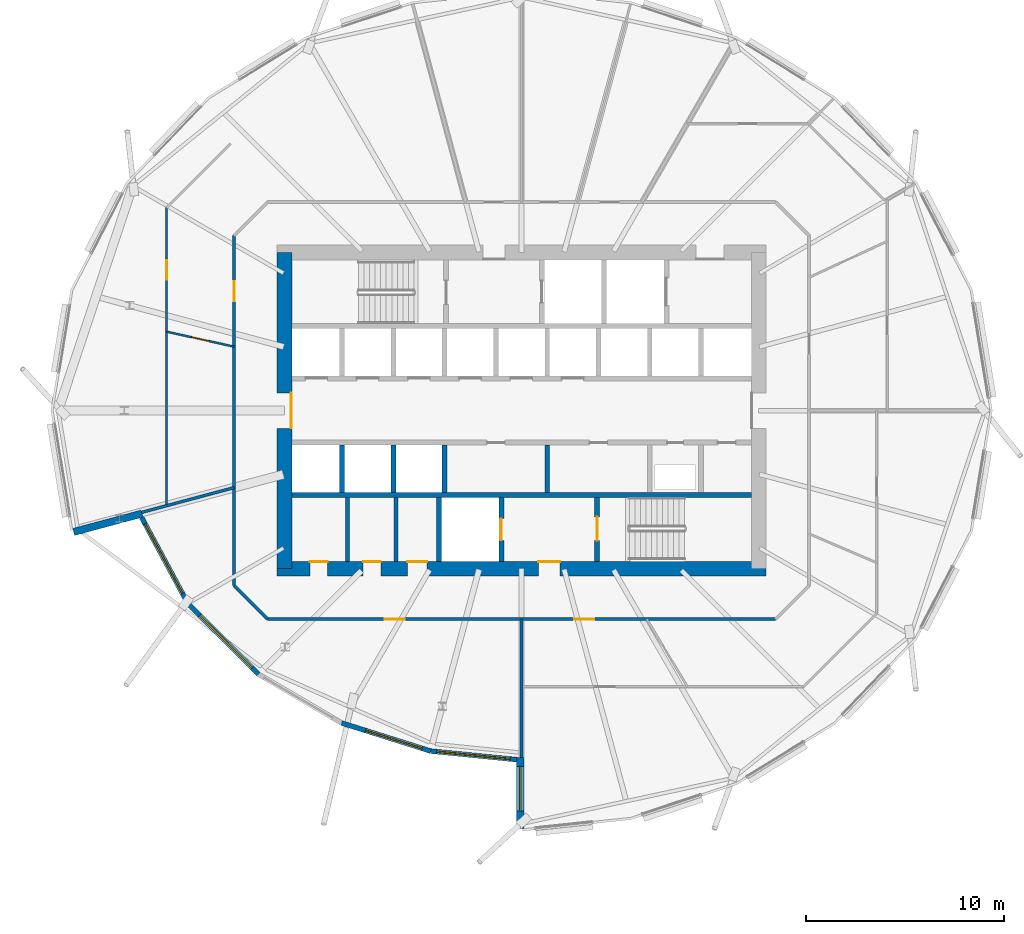
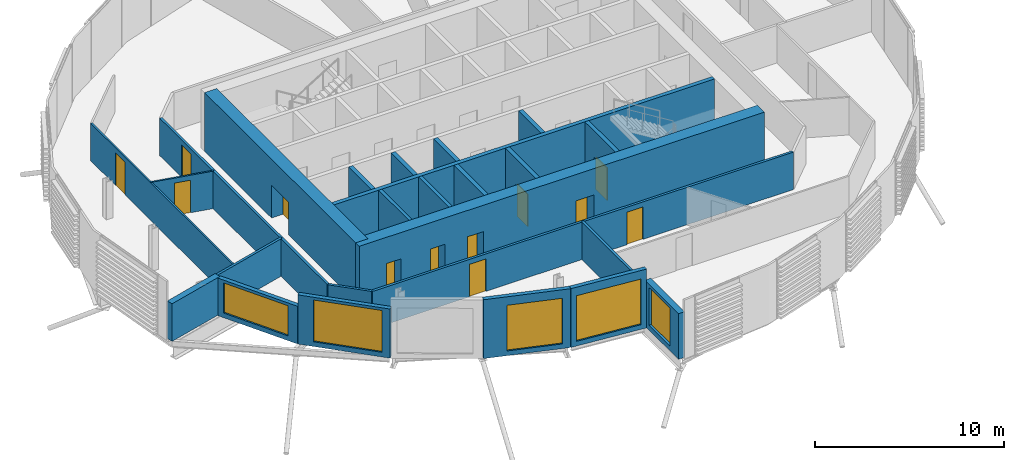
# One storey, part 22 of 42: 25 walls, 12 doors, 5 windows, 17 openings.
"""IFC4 building model written with IfcOpenShell, lengths in metres."""

from ifc_helpers import new_model, si_unit, direction, frame, frame_2d, origin, place, context, subcontext, project, spatial, rectangle, extrude, material, layer, layer_set, type_object, element, fill, save


model = new_model("IFC4")

# Units and contexts
model_context = context("Model", 3, precision=1e-05, world=origin(), true_north=direction((0.0, 1.0)))
body_context = subcontext(model_context, "Body", "Model", "MODEL_VIEW")
ifc_project = project(units=[si_unit("LENGTHUNIT", "METRE"), si_unit("AREAUNIT", "SQUARE_METRE"), si_unit("VOLUMEUNIT", "CUBIC_METRE"), si_unit("PLANEANGLEUNIT", "RADIAN"), si_unit("MASSUNIT", "GRAM", prefix="KILO")], contexts=[model_context])

# Site, building, storey
site_placement = place(None, origin())
site = spatial("IfcSite", under=ifc_project, at=site_placement, CompositionType="ELEMENT")
building_placement = place(site_placement, origin())
building = spatial("IfcBuilding", under=site, at=building_placement, Name="Rimbun Link Towers", CompositionType="ELEMENT")
storey_placement = place(building_placement, frame((0.0, 0.0, 85.39990234375)))
storey = spatial("IfcBuildingStorey", under=building, at=storey_placement, Name="L20", CompositionType="ELEMENT", Elevation=85.39990234375)

# Wall, opening, window
ifc_material_1 = material(Name="Dark enamelled glass spandrel on insulated aluminium backpan", Category="aluminium")
ifc_layer_1 = layer(ifc_material_1, 0.25)
ifc_layer_set_1 = layer_set([ifc_layer_1], Name="CS dark enamelled spandrel wall 250")
wall_type_1 = type_object("IfcWallType", Name="CS dark enamelled spandrel wall 250", PredefinedType="STANDARD", material=ifc_layer_set_1)
wall_1_placement = place(storey_placement, frame((-48.640380859375, -9.7685546875, 0.0), z_axis=(0.0, 0.0, 1.0), x_axis=(-0.473204683216, 0.88095251165, 0.0)))
wall_1 = element("IfcWall", 1, at=wall_1_placement, inside=storey, type_object=wall_type_1, Name="Crease spandrel wall", PredefinedType="STANDARD", context=body_context, shape_type="SweptSolid", body=[
    extrude(rectangle(XDim=4.94580078125, YDim=0.25, at=frame_2d((2.472900390625, 0.0))), origin(), (0.0, 0.0, 1.0), 2.43017578125),
])
opening_1_placement = place(wall_1_placement, frame((0.583251953125, 0.0, 0.300048828125)))
opening_1 = element("IfcOpeningElement", 2, at=opening_1_placement, cuts=wall_1, Name="Opening WR40H195", PredefinedType="OPENING", context=body_context, shape_type="SweptSolid", body=[
    extrude(rectangle(XDim=4.0, YDim=1.949951171875, at=frame_2d((2.0, 0.97509765625))), frame((0.0, 0.135009765625, 0.0), z_axis=(0.0, -1.0, 0.0), x_axis=(1.0, 0.0, 0.0)), (0.0, 0.0, 1.0), 0.27001953125),
])
ifc_material_2 = material(Name="Aluminium framed fixed window, dark tinted low-e glass", Category="aluminium")
window_type_1 = type_object("IfcWindowType", Name="WR ribbon window 4000X1950", PartitioningType="SINGLE_PANEL", PredefinedType="WINDOW", material=ifc_material_2)
window_1_placement = place(opening_1_placement, origin())
window_1 = element("IfcWindow", 3, at=window_1_placement, inside=storey, type_object=window_type_1, Name="Crease ribbon window", OverallHeight=1.949951171875, OverallWidth=4.0, PartitioningType="SINGLE_PANEL", PredefinedType="WINDOW", context=body_context, shape_type="SweptSolid", body=[
    extrude(rectangle(XDim=4.0, YDim=1.949951171875, at=frame_2d((2.0, 0.97509765625))), frame((0.0, 0.030029296875, 0.0), z_axis=(0.0, -1.0, 0.0), x_axis=(1.0, 0.0, 0.0)), (0.0, 0.0, 1.0), 0.06005859375),
])
fill(opening_1, window_1)

wall_2_placement = place(storey_placement, frame((-45.070068359375, -13.342529296875, 0.0), z_axis=(0.0, 0.0, 1.0), x_axis=(-0.706744230568, 0.707469146012, 0.0)))
wall_2 = element("IfcWall", 4, at=wall_2_placement, inside=storey, type_object=wall_type_1, Name="Crease spandrel wall", PredefinedType="STANDARD", context=body_context, shape_type="SweptSolid", body=[
    extrude(rectangle(XDim=5.0517578125, YDim=0.25, at=frame_2d((2.52587890625, 0.0))), origin(), (0.0, 0.0, 1.0), 3.1767578125),
])
opening_2_placement = place(wall_2_placement, frame((0.456298828125, 0.0, 0.300048828125)))
opening_2 = element("IfcOpeningElement", 5, at=opening_2_placement, cuts=wall_2, Name="Opening WR38H270", PredefinedType="OPENING", context=body_context, shape_type="SweptSolid", body=[
    extrude(rectangle(XDim=3.75, YDim=2.699951171875, at=frame_2d((1.875, 1.35009765625))), frame((0.0, 0.135009765625, 0.0), z_axis=(0.0, -1.0, 0.0), x_axis=(1.0, 0.0, 0.0)), (0.0, 0.0, 1.0), 0.27001953125),
])
ifc_material_3 = material(Name="Aluminium framed fixed window, dark tinted low-e glass", Category="aluminium")
window_type_2 = type_object("IfcWindowType", Name="WR ribbon window 3750X2700", PartitioningType="SINGLE_PANEL", PredefinedType="WINDOW", material=ifc_material_3)
window_2_placement = place(opening_2_placement, origin())
window_2 = element("IfcWindow", 6, at=window_2_placement, inside=storey, type_object=window_type_2, Name="Crease ribbon window", OverallHeight=2.699951171875, OverallWidth=3.75, PartitioningType="SINGLE_PANEL", PredefinedType="WINDOW", context=body_context, shape_type="SweptSolid", body=[
    extrude(rectangle(XDim=3.75, YDim=2.699951171875, at=frame_2d((1.875, 1.35009765625))), frame((0.0, 0.030029296875, 0.0), z_axis=(0.0, -1.0, 0.0), x_axis=(1.0, 0.0, 0.0)), (0.0, 0.0, 1.0), 0.06005859375),
])
fill(opening_2, window_2)

wall_3_placement = place(storey_placement, frame((-36.359375, -17.23095703125, 0.0), z_axis=(0.0, 0.0, 1.0), x_axis=(-0.953706819851, 0.300737928719, 0.0)))
wall_3 = element("IfcWall", 7, at=wall_3_placement, inside=storey, type_object=wall_type_1, Name="Crease spandrel wall", PredefinedType="STANDARD", context=body_context, shape_type="SweptSolid", body=[
    extrude(rectangle(XDim=4.72216796875, YDim=0.25, at=frame_2d((2.361083984375, 0.0))), origin(), (0.0, 0.0, 1.0), 3.800048828125),
])
opening_3_placement = place(wall_3_placement, frame((0.446044921875, 0.0, 0.300048828125)))
opening_3 = element("IfcOpeningElement", 8, at=opening_3_placement, cuts=wall_3, Name="Opening WR30H295", PredefinedType="OPENING", context=body_context, shape_type="SweptSolid", body=[
    extrude(rectangle(XDim=3.0, YDim=2.949951171875, at=frame_2d((1.5, 1.47509765625))), frame((0.0, 0.135009765625, 0.0), z_axis=(0.0, -1.0, 0.0), x_axis=(1.0, 0.0, 0.0)), (0.0, 0.0, 1.0), 0.27001953125),
])
ifc_material_4 = material(Name="Aluminium framed fixed window, dark tinted low-e glass", Category="aluminium")
window_type_3 = type_object("IfcWindowType", Name="WR ribbon window 3000X2950", PartitioningType="SINGLE_PANEL", PredefinedType="WINDOW", material=ifc_material_4)
window_3_placement = place(opening_3_placement, origin())
window_3 = element("IfcWindow", 9, at=window_3_placement, inside=storey, type_object=window_type_3, Name="Crease ribbon window", OverallHeight=2.949951171875, OverallWidth=3.0, PartitioningType="SINGLE_PANEL", PredefinedType="WINDOW", context=body_context, shape_type="SweptSolid", body=[
    extrude(rectangle(XDim=3.0, YDim=2.949951171875, at=frame_2d((1.5, 1.47509765625))), frame((0.0, 0.030029296875, 0.0), z_axis=(0.0, -1.0, 0.0), x_axis=(1.0, 0.0, 0.0)), (0.0, 0.0, 1.0), 0.06005859375),
])
fill(opening_3, window_3)

wall_4_placement = place(storey_placement, frame((-32.0, -17.666748046875, 0.0), z_axis=(0.0, 0.0, 1.0), x_axis=(-0.995040500105, 0.09947061451, 0.0)))
wall_4 = element("IfcWall", 10, at=wall_4_placement, inside=storey, type_object=wall_type_1, Name="Crease spandrel wall", PredefinedType="STANDARD", context=body_context, shape_type="SweptSolid", body=[
    extrude(rectangle(XDim=4.381103515625, YDim=0.25, at=frame_2d((2.1904296875, 0.0))), origin(), (0.0, 0.0, 1.0), 3.800048828125),
])
opening_4_placement = place(wall_4_placement, frame((0.3154296875, 0.0, 0.300048828125)))
opening_4 = element("IfcOpeningElement", 11, at=opening_4_placement, cuts=wall_4, Name="Opening WR38H295", PredefinedType="OPENING", context=body_context, shape_type="SweptSolid", body=[
    extrude(rectangle(XDim=3.75, YDim=2.949951171875, at=frame_2d((1.875, 1.47509765625))), frame((0.0, 0.135009765625, 0.0), z_axis=(0.0, -1.0, 0.0), x_axis=(1.0, 0.0, 0.0)), (0.0, 0.0, 1.0), 0.27001953125),
])
ifc_material_5 = material(Name="Aluminium framed fixed window, dark tinted low-e glass", Category="aluminium")
window_type_4 = type_object("IfcWindowType", Name="WR ribbon window 3750X2950", PartitioningType="SINGLE_PANEL", PredefinedType="WINDOW", material=ifc_material_5)
window_4_placement = place(opening_4_placement, origin())
window_4 = element("IfcWindow", 12, at=window_4_placement, inside=storey, type_object=window_type_4, Name="Crease ribbon window", OverallHeight=2.949951171875, OverallWidth=3.75, PartitioningType="SINGLE_PANEL", PredefinedType="WINDOW", context=body_context, shape_type="SweptSolid", body=[
    extrude(rectangle(XDim=3.75, YDim=2.949951171875, at=frame_2d((1.875, 1.47509765625))), frame((0.0, 0.030029296875, 0.0), z_axis=(0.0, -1.0, 0.0), x_axis=(1.0, 0.0, 0.0)), (0.0, 0.0, 1.0), 0.06005859375),
])
fill(opening_4, window_4)

# Wall
ifc_material_6 = material(Name="Dark enamelled glass spandrel on insulated aluminium backpan", Category="aluminium")
ifc_layer_2 = layer(ifc_material_6, 0.3701171875)
ifc_layer_set_2 = layer_set([ifc_layer_2], Name="CS dark enamelled spandrel wall 370")
wall_type_2 = type_object("IfcWallType", Name="CS dark enamelled spandrel wall 370", PredefinedType="STANDARD", material=ifc_layer_set_2)
wall_5_placement = place(storey_placement, frame((-50.96142578125, -5.215087890625, 0.0), z_axis=(0.0, 0.0, 1.0), x_axis=(-0.965929787715, -0.258804260405, 0.0)))
element("IfcWall", 13, at=wall_5_placement, inside=storey, type_object=wall_type_2, Name="Crease spandrel wall", PredefinedType="STANDARD", context=body_context, shape_type="SweptSolid", body=[
    extrude(rectangle(XDim=3.580078125, YDim=0.3701171875, at=frame_2d((1.7900390625, 0.0))), origin(), (0.0, 0.0, 1.0), 2.43017578125),
])

# Wall, opening, window
wall_6_placement = place(storey_placement, frame((-31.81494140625, -21.14599609375, 0.0), z_axis=(0.0, 0.0, 1.0), x_axis=(0.0, 1.0, 0.0)))
wall_6 = element("IfcWall", 14, at=wall_6_placement, inside=storey, type_object=wall_type_2, Name="Crease spandrel wall", PredefinedType="STANDARD", context=body_context, shape_type="SweptSolid", body=[
    extrude(rectangle(XDim=3.580078125, YDim=0.3701171875, at=frame_2d((1.7900390625, 0.0))), origin(), (0.0, 0.0, 1.0), 2.946533203125),
])
opening_5_placement = place(wall_6_placement, frame((0.885498046875, 0.0, 0.300048828125)))
opening_5 = element("IfcOpeningElement", 15, at=opening_5_placement, cuts=wall_6, Name="Opening WR22H245", PredefinedType="OPENING", context=body_context, shape_type="SweptSolid", body=[
    extrude(rectangle(XDim=2.25, YDim=2.449951171875, at=frame_2d((1.125, 1.22509765625))), frame((0.0, 0.195068359375, 0.0), z_axis=(0.0, -1.0, 0.0), x_axis=(1.0, 0.0, 0.0)), (0.0, 0.0, 1.0), 0.39013671875),
])
ifc_material_7 = material(Name="Aluminium framed fixed window, dark tinted low-e glass", Category="aluminium")
window_type_5 = type_object("IfcWindowType", Name="WR ribbon window 2250X2450", PartitioningType="SINGLE_PANEL", PredefinedType="WINDOW", material=ifc_material_7)
window_5_placement = place(opening_5_placement, origin())
window_5 = element("IfcWindow", 16, at=window_5_placement, inside=storey, type_object=window_type_5, Name="Crease ribbon window", OverallHeight=2.449951171875, OverallWidth=2.25, PartitioningType="SINGLE_PANEL", PredefinedType="WINDOW", context=body_context, shape_type="SweptSolid", body=[
    extrude(rectangle(XDim=2.25, YDim=2.449951171875, at=frame_2d((1.125, 1.22509765625))), frame((0.0, 0.030029296875, 0.0), z_axis=(0.0, -1.0, 0.0), x_axis=(1.0, 0.0, 0.0)), (0.0, 0.0, 1.0), 0.06005859375),
])
fill(opening_5, window_5)

# Walls
ifc_material_8 = material(Name="Masonry blockwork", Category="masonry")
ifc_layer_3 = layer(ifc_material_8, 0.199951171875)
ifc_layer_set_3 = layer_set([ifc_layer_3], Name="Core partition 200")
wall_type_3 = type_object("IfcWallType", Name="Core partition 200", PredefinedType="PARTITIONING", material=ifc_layer_set_3)
for number, where, z_axis, x_axis, name in (
    (17, (-40.550048828125, -4.39990234375, 0.0), (0.0, 0.0, 1.0), (0.0, -1.0, 0.0), "L20 T1 core wall C1"),
    (18, (-38.10009765625, -4.39990234375, 0.0), (0.0, 0.0, 1.0), (0.0, -1.0, 0.0), "L20 T1 core wall C2"),
):
    element("IfcWall", number, at=place(storey_placement, frame(where, z_axis=z_axis, x_axis=x_axis)), inside=storey, type_object=wall_type_3, Name=name, PredefinedType="PARTITIONING", context=body_context, shape_type="SweptSolid", body=[
        extrude(rectangle(XDim=3.22509765625, YDim=0.199951171875, at=frame_2d((1.612548828125, 0.0))), origin(), (0.0, 0.0, 1.0), 3.800048828125),
    ])

# Wall, openings, doors
ifc_material_9 = material(Name="Concrete C60/75", Category="concrete")
ifc_layer_4 = layer(ifc_material_9, 0.75)
ifc_layer_set_4 = layer_set([ifc_layer_4], Name="Core shear wall 750")
wall_type_4 = type_object("IfcWallType", Name="Core shear wall 750", PredefinedType="SHEAR", material=ifc_layer_set_4)
wall_7_placement = place(storey_placement, frame((-44.125, -8.0, 0.0), z_axis=(0.0, 0.0, 1.0), x_axis=(1.0, 0.0, 0.0)))
wall_7 = element("IfcWall", 19, at=wall_7_placement, inside=storey, type_object=wall_type_4, Name="L20 T1 core wall S", PredefinedType="SHEAR", context=body_context, shape_type="SweptSolid", body=[
    extrude(rectangle(XDim=24.75, YDim=0.75, at=frame_2d((12.375, 0.0))), origin(), (0.0, 0.0, 1.0), 3.800048828125),
])
opening_6_placement = place(wall_7_placement, frame((13.22509765625, 0.0, 0.0)))
opening_6 = element("IfcOpeningElement", 20, at=opening_6_placement, cuts=wall_7, Name="Opening C1DCF01S", PredefinedType="OPENING", context=body_context, shape_type="SweptSolid", body=[
    extrude(rectangle(XDim=1.10009765625, YDim=2.10009765625, at=frame_2d((0.550048828125, 1.050048828125))), frame((0.0, 0.385009765625, 0.0), z_axis=(0.0, -1.0, 0.0), x_axis=(1.0, 0.0, 0.0)), (0.0, 0.0, 1.0), 0.77001953125),
])
opening_7_placement = place(wall_7_placement, frame((1.66259765625, 0.0, 0.0)))
opening_7 = element("IfcOpeningElement", 21, at=opening_7_placement, cuts=wall_7, Name="Opening C1DWC02S", PredefinedType="OPENING", context=body_context, shape_type="SweptSolid", body=[
    extrude(rectangle(XDim=0.89990234375, YDim=2.10009765625, at=frame_2d((0.449951171875, 1.050048828125))), frame((0.0, 0.385009765625, 0.0), z_axis=(0.0, -1.0, 0.0), x_axis=(1.0, 0.0, 0.0)), (0.0, 0.0, 1.0), 0.77001953125),
])
opening_8_placement = place(wall_7_placement, frame((4.35009765625, 0.0, 0.0)))
opening_8 = element("IfcOpeningElement", 22, at=opening_8_placement, cuts=wall_7, Name="Opening C1DWC03S", PredefinedType="OPENING", context=body_context, shape_type="SweptSolid", body=[
    extrude(rectangle(XDim=0.89990234375, YDim=2.10009765625, at=frame_2d((0.449951171875, 1.050048828125))), frame((0.0, 0.385009765625, 0.0), z_axis=(0.0, -1.0, 0.0), x_axis=(1.0, 0.0, 0.0)), (0.0, 0.0, 1.0), 0.77001953125),
])
opening_9_placement = place(wall_7_placement, frame((6.60009765625, 0.0, 0.0)))
opening_9 = element("IfcOpeningElement", 23, at=opening_9_placement, cuts=wall_7, Name="Opening C1DAW04S", PredefinedType="OPENING", context=body_context, shape_type="SweptSolid", body=[
    extrude(rectangle(XDim=1.0, YDim=2.10009765625, at=frame_2d((0.5, 1.050048828125))), frame((0.0, 0.385009765625, 0.0), z_axis=(0.0, -1.0, 0.0), x_axis=(1.0, 0.0, 0.0)), (0.0, 0.0, 1.0), 0.77001953125),
])
ifc_material_10 = material(Name="Timber", Category="wood")
door_type_1 = type_object("IfcDoorType", Name="Accessible WC door", OperationType="SINGLE_SWING_LEFT", PredefinedType="DOOR", material=ifc_material_10)
door_1_placement = place(opening_9_placement, origin())
door_1 = element("IfcDoor", 24, at=door_1_placement, inside=storey, type_object=door_type_1, Name="L20 T1 accessible wc door", OperationType="SINGLE_SWING_RIGHT", OverallHeight=2.10009765625, OverallWidth=1.0, PredefinedType="DOOR", context=body_context, shape_type="SweptSolid", body=[
    extrude(rectangle(XDim=1.0, YDim=2.10009765625, at=frame_2d((0.5, 1.050048828125))), frame((0.0, 0.375, 0.0), z_axis=(0.0, -1.0, 0.0), x_axis=(1.0, 0.0, 0.0)), (0.0, 0.0, 1.0), 0.050048828125),
])
fill(opening_9, door_1)
ifc_material_11 = material(Name="Steel fire door set", Category="steel")
door_type_2 = type_object("IfcDoorType", Name="Core fire door single", OperationType="SINGLE_SWING_LEFT", PredefinedType="DOOR", material=ifc_material_11)
door_2_placement = place(opening_6_placement, origin())
door_2 = element("IfcDoor", 25, at=door_2_placement, inside=storey, type_object=door_type_2, Name="L20 T1 firefighting lobby s door", OperationType="SINGLE_SWING_RIGHT", OverallHeight=2.10009765625, OverallWidth=1.10009765625, PredefinedType="DOOR", context=body_context, shape_type="SweptSolid", body=[
    extrude(rectangle(XDim=1.10009765625, YDim=2.10009765625, at=frame_2d((0.550048828125, 1.050048828125))), frame((0.0, 0.375, 0.0), z_axis=(0.0, -1.0, 0.0), x_axis=(1.0, 0.0, 0.0)), (0.0, 0.0, 1.0), 0.050048828125),
])
fill(opening_6, door_2)
ifc_material_12 = material(Name="Timber", Category="wood")
door_type_3 = type_object("IfcDoorType", Name="WC door", OperationType="SINGLE_SWING_LEFT", PredefinedType="DOOR", material=ifc_material_12)
door_3_placement = place(opening_7_placement, origin())
door_3 = element("IfcDoor", 26, at=door_3_placement, inside=storey, type_object=door_type_3, Name="L20 T1 male wc door", OperationType="SINGLE_SWING_RIGHT", OverallHeight=2.10009765625, OverallWidth=0.89990234375, PredefinedType="DOOR", context=body_context, shape_type="SweptSolid", body=[
    extrude(rectangle(XDim=0.89990234375, YDim=2.10009765625, at=frame_2d((0.449951171875, 1.050048828125))), frame((0.0, 0.375, 0.0), z_axis=(0.0, -1.0, 0.0), x_axis=(1.0, 0.0, 0.0)), (0.0, 0.0, 1.0), 0.050048828125),
])
fill(opening_7, door_3)
door_4_placement = place(opening_8_placement, origin())
door_4 = element("IfcDoor", 27, at=door_4_placement, inside=storey, type_object=door_type_3, Name="L20 T1 female wc door", OperationType="SINGLE_SWING_RIGHT", OverallHeight=2.10009765625, OverallWidth=0.89990234375, PredefinedType="DOOR", context=body_context, shape_type="SweptSolid", body=[
    extrude(rectangle(XDim=0.89990234375, YDim=2.10009765625, at=frame_2d((0.449951171875, 1.050048828125))), frame((0.0, 0.375, 0.0), z_axis=(0.0, -1.0, 0.0), x_axis=(1.0, 0.0, 0.0)), (0.0, 0.0, 1.0), 0.050048828125),
])
fill(opening_8, door_4)

# Wall, opening, door
wall_8_placement = place(storey_placement, frame((-43.75, -8.0, 0.0), z_axis=(0.0, 0.0, 1.0), x_axis=(0.0, 1.0, 0.0)))
wall_8 = element("IfcWall", 28, at=wall_8_placement, inside=storey, type_object=wall_type_4, Name="L20 T1 core wall W", PredefinedType="SHEAR", context=body_context, shape_type="SweptSolid", body=[
    extrude(rectangle(XDim=16.0, YDim=0.75, at=frame_2d((8.0, 0.0))), origin(), (0.0, 0.0, 1.0), 3.800048828125),
])
opening_10_placement = place(wall_8_placement, frame((7.10009765625, 0.0, 0.0)))
opening_10 = element("IfcOpeningElement", 29, at=opening_10_placement, cuts=wall_8, Name="Opening C1DCL01W", PredefinedType="OPENING", context=body_context, shape_type="SweptSolid", body=[
    extrude(rectangle(XDim=1.800048828125, YDim=2.10009765625, at=frame_2d((0.89990234375, 1.050048828125))), frame((0.0, 0.385009765625, 0.0), z_axis=(0.0, -1.0, 0.0), x_axis=(1.0, 0.0, 0.0)), (0.0, 0.0, 1.0), 0.77001953125),
])
ifc_material_13 = material(Name="Steel fire door set", Category="steel")
door_type_4 = type_object("IfcDoorType", Name="Core lobby door double", OperationType="DOUBLE_DOOR_SINGLE_SWING", PredefinedType="DOOR", material=ifc_material_13)
door_5_placement = place(opening_10_placement, origin())
door_5 = element("IfcDoor", 30, at=door_5_placement, inside=storey, type_object=door_type_4, Name="L20 T1 lift lobby door", OperationType="DOUBLE_DOOR_SINGLE_SWING", OverallHeight=2.10009765625, OverallWidth=1.800048828125, PredefinedType="DOOR", context=body_context, shape_type="SweptSolid", body=[
    extrude(rectangle(XDim=1.800048828125, YDim=2.10009765625, at=frame_2d((0.89990234375, 1.050048828125))), frame((0.0, -0.3251953125, 0.0), z_axis=(0.0, -1.0, 0.0), x_axis=(1.0, 0.0, 0.0)), (0.0, 0.0, 1.0), 0.050048828125),
])
fill(opening_10, door_5)

# Wall, openings, doors
ifc_material_14 = material(Name="Plasterboard on steel stud, mineral wool", Category="steel")
ifc_layer_5 = layer(ifc_material_14, 0.14990234375)
ifc_layer_set_5 = layer_set([ifc_layer_5], Name="Corridor wall EI 30 150 mm")
wall_type_5 = type_object("IfcWallType", Name="Corridor wall EI 30 150 mm", PredefinedType="PARTITIONING", material=ifc_layer_set_5)
wall_9_placement = place(storey_placement, frame((-18.898193359375, -10.550048828125, 0.0), z_axis=(0.0, 0.0, 1.0), x_axis=(-1.0, 0.0, 0.0)))
wall_9 = element("IfcWall", 31, at=wall_9_placement, inside=storey, type_object=wall_type_5, Name="Corridor wall EI 30 150 mm", PredefinedType="PARTITIONING", context=body_context, shape_type="SweptSolid", body=[
    extrude(rectangle(XDim=25.70361328125, YDim=0.14990234375, at=frame_2d((12.851806640625, 0.0))), origin(), (0.0, 0.0, 1.0), 2.420166015625),
])
opening_11_placement = place(wall_9_placement, frame((9.184326171875, 0.0, 0.0)))
opening_11 = element("IfcOpeningElement", 32, at=opening_11_placement, cuts=wall_9, Name="Opening D01", PredefinedType="OPENING", context=body_context, shape_type="SweptSolid", body=[
    extrude(rectangle(XDim=1.0, YDim=2.10009765625, at=frame_2d((0.5, 1.050048828125))), frame((0.0, 0.0849609375, 0.0), z_axis=(0.0, -1.0, 0.0), x_axis=(1.0, 0.0, 0.0)), (0.0, 0.0, 1.0), 0.169921875),
])
opening_12_placement = place(wall_9_placement, frame((18.777587890625, 0.0, 0.0)))
opening_12 = element("IfcOpeningElement", 33, at=opening_12_placement, cuts=wall_9, Name="Opening D01", PredefinedType="OPENING", context=body_context, shape_type="SweptSolid", body=[
    extrude(rectangle(XDim=1.0, YDim=2.10009765625, at=frame_2d((0.5, 1.050048828125))), frame((0.0, 0.0849609375, 0.0), z_axis=(0.0, -1.0, 0.0), x_axis=(1.0, 0.0, 0.0)), (0.0, 0.0, 1.0), 0.169921875),
])
ifc_material_15 = material(Name="Fire-resisting timber door leaf", Category="wood")
door_type_5 = type_object("IfcDoorType", Name="Fire door FD30S 1000", OperationType="NOTDEFINED", PredefinedType="DOOR", material=ifc_material_15)
door_6_placement = place(opening_11_placement, origin())
door_6 = element("IfcDoor", 34, at=door_6_placement, inside=storey, type_object=door_type_5, Name="Fire door FD30S 1000 to Reception", OperationType="SINGLE_SWING_LEFT", OverallHeight=2.10009765625, OverallWidth=1.0, PredefinedType="DOOR", context=body_context, shape_type="SweptSolid", body=[
    extrude(rectangle(XDim=1.0, YDim=2.10009765625, at=frame_2d((0.5, 1.050048828125))), frame((0.0, 0.02490234375, 0.0), z_axis=(0.0, -1.0, 0.0), x_axis=(1.0, 0.0, 0.0)), (0.0, 0.0, 1.0), 0.050048828125),
])
fill(opening_11, door_6)
door_7_placement = place(opening_12_placement, origin())
door_7 = element("IfcDoor", 35, at=door_7_placement, inside=storey, type_object=door_type_5, Name="Fire door FD30S 1000 to Terrace office", OperationType="SINGLE_SWING_LEFT", OverallHeight=2.10009765625, OverallWidth=1.0, PredefinedType="DOOR", context=body_context, shape_type="SweptSolid", body=[
    extrude(rectangle(XDim=1.0, YDim=2.10009765625, at=frame_2d((0.5, 1.050048828125))), frame((0.0, 0.02490234375, 0.0), z_axis=(0.0, -1.0, 0.0), x_axis=(1.0, 0.0, 0.0)), (0.0, 0.0, 1.0), 0.050048828125),
])
fill(opening_12, door_7)

# Wall
wall_10_placement = place(storey_placement, frame((-46.300048828125, -8.851806640625, 0.0), z_axis=(0.0, 0.0, 1.0), x_axis=(0.707106781187, -0.707106781187, 0.0)))
element("IfcWall", 36, at=wall_10_placement, inside=storey, type_object=wall_type_5, Name="Corridor wall EI 30 150 mm", PredefinedType="PARTITIONING", context=body_context, shape_type="SweptSolid", body=[
    extrude(rectangle(XDim=2.401611328125, YDim=0.14990234375, at=frame_2d((1.20068359375, 0.0))), origin(), (0.0, 0.0, 1.0), 2.420166015625),
])

# Wall, opening, door
wall_11_placement = place(storey_placement, frame((-46.300048828125, -8.851806640625, 0.0), z_axis=(0.0, 0.0, 1.0), x_axis=(0.0, 1.0, 0.0)))
wall_11 = element("IfcWall", 37, at=wall_11_placement, inside=storey, type_object=wall_type_5, Name="Corridor wall EI 30 150 mm", PredefinedType="PARTITIONING", context=body_context, shape_type="SweptSolid", body=[
    extrude(rectangle(XDim=17.70361328125, YDim=0.14990234375, at=frame_2d((8.851806640625, 0.0))), origin(), (0.0, 0.0, 1.0), 2.420166015625),
])
opening_13_placement = place(wall_11_placement, frame((14.39501953125, 0.0, 0.0)))
opening_13 = element("IfcOpeningElement", 38, at=opening_13_placement, cuts=wall_11, Name="Opening D01", PredefinedType="OPENING", context=body_context, shape_type="SweptSolid", body=[
    extrude(rectangle(XDim=1.0, YDim=2.10009765625, at=frame_2d((0.5, 1.050048828125))), frame((0.0, 0.0849609375, 0.0), z_axis=(0.0, -1.0, 0.0), x_axis=(1.0, 0.0, 0.0)), (0.0, 0.0, 1.0), 0.169921875),
])
door_8_placement = place(opening_13_placement, origin())
door_8 = element("IfcDoor", 39, at=door_8_placement, inside=storey, type_object=door_type_5, Name="Fire door FD30S 1000 to Reception", OperationType="SINGLE_SWING_RIGHT", OverallHeight=2.10009765625, OverallWidth=1.0, PredefinedType="DOOR", context=body_context, shape_type="SweptSolid", body=[
    extrude(rectangle(XDim=1.0, YDim=2.10009765625, at=frame_2d((0.5, 1.050048828125))), frame((0.0, 0.02490234375, 0.0), z_axis=(0.0, -1.0, 0.0), x_axis=(1.0, 0.0, 0.0)), (0.0, 0.0, 1.0), 0.050048828125),
])
fill(opening_13, door_8)

ifc_material_16 = material(Name="Plasterboard on steel stud", Category="steel")
ifc_layer_6 = layer(ifc_material_16, 0.10009765625)
ifc_layer_set_6 = layer_set([ifc_layer_6], Name="Plasterboard partition 100 mm")
wall_type_6 = type_object("IfcWallType", Name="Plasterboard partition 100 mm", PredefinedType="PARTITIONING", material=ifc_layer_set_6)
wall_12_placement = place(storey_placement, frame((-46.300048828125, 3.235107421875, 0.0), z_axis=(0.0, 0.0, 1.0), x_axis=(-0.976155896555, 0.217070646614, 0.0)))
wall_12 = element("IfcWall", 40, at=wall_12_placement, inside=storey, type_object=wall_type_6, Name="Plasterboard partition 100 mm", PredefinedType="PARTITIONING", context=body_context, shape_type="SweptSolid", body=[
    extrude(rectangle(XDim=3.50341796875, YDim=0.10009765625, at=frame_2d((1.751708984375, 0.0))), origin(), (0.0, 0.0, 1.0), 2.420166015625),
])
opening_14_placement = place(wall_12_placement, frame((1.3017578125, 0.0, 0.0)))
opening_14 = element("IfcOpeningElement", 41, at=opening_14_placement, cuts=wall_12, Name="Opening D04", PredefinedType="OPENING", context=body_context, shape_type="SweptSolid", body=[
    extrude(rectangle(XDim=0.89990234375, YDim=2.10009765625, at=frame_2d((0.449951171875, 1.050048828125))), frame((0.0, 0.06005859375, 0.0), z_axis=(0.0, -1.0, 0.0), x_axis=(1.0, 0.0, 0.0)), (0.0, 0.0, 1.0), 0.1201171875),
])
ifc_material_17 = material(Name="Timber door leaf", Category="wood")
door_type_6 = type_object("IfcDoorType", Name="Flush door 900", OperationType="NOTDEFINED", PredefinedType="DOOR", material=ifc_material_17)
door_9_placement = place(opening_14_placement, origin())
door_9 = element("IfcDoor", 42, at=door_9_placement, inside=storey, type_object=door_type_6, Name="Flush door 900 to Meeting room", OperationType="SINGLE_SWING_RIGHT", OverallHeight=2.10009765625, OverallWidth=0.89990234375, PredefinedType="DOOR", context=body_context, shape_type="SweptSolid", body=[
    extrude(rectangle(XDim=0.89990234375, YDim=2.10009765625, at=frame_2d((0.449951171875, 1.050048828125))), frame((0.0, 0.02490234375, 0.0), z_axis=(0.0, -1.0, 0.0), x_axis=(1.0, 0.0, 0.0)), (0.0, 0.0, 1.0), 0.050048828125),
])
fill(opening_14, door_9)

wall_13_placement = place(storey_placement, frame((-49.719970703125, -4.81494140625, 0.0), z_axis=(0.0, 0.0, 1.0), x_axis=(0.0, 1.0, 0.0)))
wall_13 = element("IfcWall", 43, at=wall_13_placement, inside=storey, type_object=wall_type_6, Name="Plasterboard partition 100 mm", PredefinedType="PARTITIONING", context=body_context, shape_type="SweptSolid", body=[
    extrude(rectangle(XDim=15.083251953125, YDim=0.10009765625, at=frame_2d((7.54150390625, 0.0))), origin(), (0.0, 0.0, 1.0), 2.420166015625),
])
opening_15_placement = place(wall_13_placement, frame((11.431640625, 0.0, 0.0)))
opening_15 = element("IfcOpeningElement", 44, at=opening_15_placement, cuts=wall_13, Name="Opening D03", PredefinedType="OPENING", context=body_context, shape_type="SweptSolid", body=[
    extrude(rectangle(XDim=1.0, YDim=2.10009765625, at=frame_2d((0.5, 1.050048828125))), frame((0.0, 0.06005859375, 0.0), z_axis=(0.0, -1.0, 0.0), x_axis=(1.0, 0.0, 0.0)), (0.0, 0.0, 1.0), 0.1201171875),
])
ifc_material_18 = material(Name="Timber door leaf", Category="wood")
door_type_7 = type_object("IfcDoorType", Name="Flush door 1000", OperationType="NOTDEFINED", PredefinedType="DOOR", material=ifc_material_18)
door_10_placement = place(opening_15_placement, origin())
door_10 = element("IfcDoor", 45, at=door_10_placement, inside=storey, type_object=door_type_7, Name="Flush door 1000 to Open office", OperationType="SINGLE_SWING_LEFT", OverallHeight=2.10009765625, OverallWidth=1.0, PredefinedType="DOOR", context=body_context, shape_type="SweptSolid", body=[
    extrude(rectangle(XDim=1.0, YDim=2.10009765625, at=frame_2d((0.5, 1.050048828125))), frame((0.0, 0.02490234375, 0.0), z_axis=(0.0, -1.0, 0.0), x_axis=(1.0, 0.0, 0.0)), (0.0, 0.0, 1.0), 0.050048828125),
])
fill(opening_15, door_10)

# Walls
ifc_material_19 = material(Name="Concrete C60/75", Category="concrete")
ifc_layer_7 = layer(ifc_material_19, 0.25)
ifc_layer_set_7 = layer_set([ifc_layer_7], Name="Shaft wall 250")
wall_type_7 = type_object("IfcWallType", Name="Shaft wall 250", PredefinedType="SHEAR", material=ifc_layer_set_7)
wall_14_placement = place(storey_placement, frame((-43.375, -4.27490234375, 0.0), z_axis=(0.0, 0.0, 1.0), x_axis=(1.0, 0.0, 0.0)))
element("IfcWall", 46, at=wall_14_placement, inside=storey, type_object=wall_type_7, Name="L20 T1 core wall BS", PredefinedType="SHEAR", context=body_context, shape_type="SweptSolid", body=[
    extrude(rectangle(XDim=23.25, YDim=0.25, at=frame_2d((11.625, 0.0))), origin(), (0.0, 0.0, 1.0), 3.800048828125),
])
for number, where, z_axis, x_axis, name in (
    (47, (-40.83056640625, -4.14990234375, 0.0), (0.0, 0.0, 1.0), (0.0, 1.0, 0.0), "L20 T1 core wall DS0"),
    (48, (-38.236083984375, -4.14990234375, 0.0), (0.0, 0.0, 1.0), (0.0, 1.0, 0.0), "L20 T1 core wall DS1"),
    (49, (-35.6416015625, -4.14990234375, 0.0), (0.0, 0.0, 1.0), (0.0, 1.0, 0.0), "L20 T1 core wall DS2"),
    (50, (-30.452880859375, -4.14990234375, 0.0), (0.0, 0.0, 1.0), (0.0, 1.0, 0.0), "L20 T1 core wall DS4"),
):
    element("IfcWall", number, at=place(storey_placement, frame(where, z_axis=z_axis, x_axis=x_axis)), inside=storey, type_object=wall_type_7, Name=name, PredefinedType="SHEAR", context=body_context, shape_type="SweptSolid", body=[
        extrude(rectangle(XDim=2.39990234375, YDim=0.25, at=frame_2d((1.199951171875, 0.0))), origin(), (0.0, 0.0, 1.0), 3.800048828125),
    ])

# Wall, opening, door
wall_15_placement = place(storey_placement, frame((-27.925048828125, -4.39990234375, 0.0), z_axis=(0.0, 0.0, 1.0), x_axis=(0.0, -1.0, 0.0)))
wall_15 = element("IfcWall", 51, at=wall_15_placement, inside=storey, type_object=wall_type_7, Name="L20 T1 core wall B1", PredefinedType="SHEAR", context=body_context, shape_type="SweptSolid", body=[
    extrude(rectangle(XDim=3.22509765625, YDim=0.25, at=frame_2d((1.612548828125, 0.0))), origin(), (0.0, 0.0, 1.0), 3.800048828125),
])
opening_16_placement = place(wall_15_placement, frame((0.97509765625, 0.0, 0.0)))
opening_16 = element("IfcOpeningElement", 52, at=opening_16_placement, cuts=wall_15, Name="Opening C1DST01B1", PredefinedType="OPENING", context=body_context, shape_type="SweptSolid", body=[
    extrude(rectangle(XDim=1.199951171875, YDim=2.10009765625, at=frame_2d((0.60009765625, 1.050048828125))), frame((0.0, 0.135009765625, 0.0), z_axis=(0.0, -1.0, 0.0), x_axis=(1.0, 0.0, 0.0)), (0.0, 0.0, 1.0), 0.27001953125),
])
ifc_material_20 = material(Name="Steel fire door set", Category="steel")
door_type_8 = type_object("IfcDoorType", Name="Stair door", OperationType="SINGLE_SWING_LEFT", PredefinedType="DOOR", material=ifc_material_20)
door_11_placement = place(opening_16_placement, origin())
door_11 = element("IfcDoor", 53, at=door_11_placement, inside=storey, type_object=door_type_8, Name="L20 T1 stair b door", OperationType="SINGLE_SWING_LEFT", OverallHeight=2.10009765625, OverallWidth=1.199951171875, PredefinedType="DOOR", context=body_context, shape_type="SweptSolid", body=[
    extrude(rectangle(XDim=1.199951171875, YDim=2.10009765625, at=frame_2d((0.60009765625, 1.050048828125))), frame((0.0, 0.02490234375, 0.0), z_axis=(0.0, -1.0, 0.0), x_axis=(1.0, 0.0, 0.0)), (0.0, 0.0, 1.0), 0.050048828125),
])
fill(opening_16, door_11)

wall_16_placement = place(storey_placement, frame((-32.77490234375, -4.39990234375, 0.0), z_axis=(0.0, 0.0, 1.0), x_axis=(0.0, -1.0, 0.0)))
wall_16 = element("IfcWall", 54, at=wall_16_placement, inside=storey, type_object=wall_type_7, Name="L20 T1 core wall B2", PredefinedType="SHEAR", context=body_context, shape_type="SweptSolid", body=[
    extrude(rectangle(XDim=3.22509765625, YDim=0.25, at=frame_2d((1.612548828125, 0.0))), origin(), (0.0, 0.0, 1.0), 3.800048828125),
])
opening_17_placement = place(wall_16_placement, frame((1.0625, 0.0, 0.0)))
opening_17 = element("IfcOpeningElement", 55, at=opening_17_placement, cuts=wall_16, Name="Opening LD-T1-FF2", PredefinedType="OPENING", context=body_context, shape_type="SweptSolid", body=[
    extrude(rectangle(XDim=1.10009765625, YDim=2.10009765625, at=frame_2d((0.550048828125, 1.050048828125))), frame((0.0, 0.135009765625, 0.0), z_axis=(0.0, -1.0, 0.0), x_axis=(1.0, 0.0, 0.0)), (0.0, 0.0, 1.0), 0.27001953125),
])
ifc_material_21 = material(Name="Stainless steel grade 316", Category="steel")
door_type_9 = type_object("IfcDoorType", Name="Lift landing door", OperationType="DOUBLE_DOOR_SLIDING", PredefinedType="DOOR", material=ifc_material_21)
door_12_placement = place(opening_17_placement, origin())
door_12 = element("IfcDoor", 56, at=door_12_placement, inside=storey, type_object=door_type_9, Name="L20 T1 lift FF2 landing door", OperationType="DOUBLE_DOOR_SLIDING", OverallHeight=2.10009765625, OverallWidth=1.10009765625, PredefinedType="DOOR", context=body_context, shape_type="SweptSolid", body=[
    extrude(rectangle(XDim=1.10009765625, YDim=2.10009765625, at=frame_2d((0.550048828125, 1.050048828125))), frame((0.0, 0.02490234375, 0.0), z_axis=(0.0, -1.0, 0.0), x_axis=(1.0, 0.0, 0.0)), (0.0, 0.0, 1.0), 0.050048828125),
])
fill(opening_17, door_12)

# Walls
wall_17_placement = place(storey_placement, frame((-35.925048828125, -4.39990234375, 0.0), z_axis=(0.0, 0.0, 1.0), x_axis=(0.0, -1.0, 0.0)))
element("IfcWall", 57, at=wall_17_placement, inside=storey, type_object=wall_type_7, Name="L20 T1 core wall B3", PredefinedType="SHEAR", context=body_context, shape_type="SweptSolid", body=[
    extrude(rectangle(XDim=3.22509765625, YDim=0.25, at=frame_2d((1.612548828125, 0.0))), origin(), (0.0, 0.0, 1.0), 3.800048828125),
])
ifc_material_22 = material(Name="Plasterboard on steel stud, mineral wool", Category="steel")
ifc_layer_8 = layer(ifc_material_22, 0.14990234375)
ifc_layer_set_8 = layer_set([ifc_layer_8], Name="Tenancy separation wall EI 60 150 mm")
wall_type_8 = type_object("IfcWallType", Name="Tenancy separation wall EI 60 150 mm", PredefinedType="PARTITIONING", material=ifc_layer_set_8)
wall_18_placement = place(storey_placement, frame((-46.300048828125, -3.898681640625, 0.0), z_axis=(0.0, 0.0, 1.0), x_axis=(-0.965931401586, -0.258798236914, 0.0)))
element("IfcWall", 58, at=wall_18_placement, inside=storey, type_object=wall_type_8, Name="Tenancy separation wall EI 60 150 mm", PredefinedType="PARTITIONING", context=body_context, shape_type="SweptSolid", body=[
    extrude(rectangle(XDim=4.84326171875, YDim=0.14990234375, at=frame_2d((2.421630859375, 0.0))), origin(), (0.0, 0.0, 1.0), 2.420166015625),
])
wall_19_placement = place(storey_placement, frame((-31.75, -10.550048828125, 0.0), z_axis=(0.0, 0.0, 1.0), x_axis=(0.0, -1.0, 0.0)))
element("IfcWall", 59, at=wall_19_placement, inside=storey, type_object=wall_type_8, Name="Tenancy separation wall EI 60 150 mm", PredefinedType="PARTITIONING", context=body_context, shape_type="SweptSolid", body=[
    extrude(rectangle(XDim=7.015869140625, YDim=0.14990234375, at=frame_2d((3.5078125, 0.0))), origin(), (0.0, 0.0, 1.0), 2.420166015625),
])

save(model, "model.ifc")
